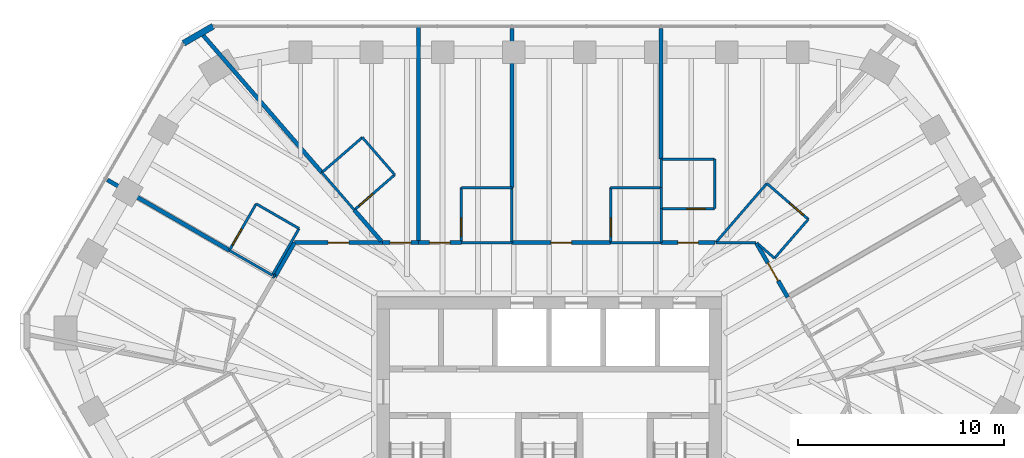
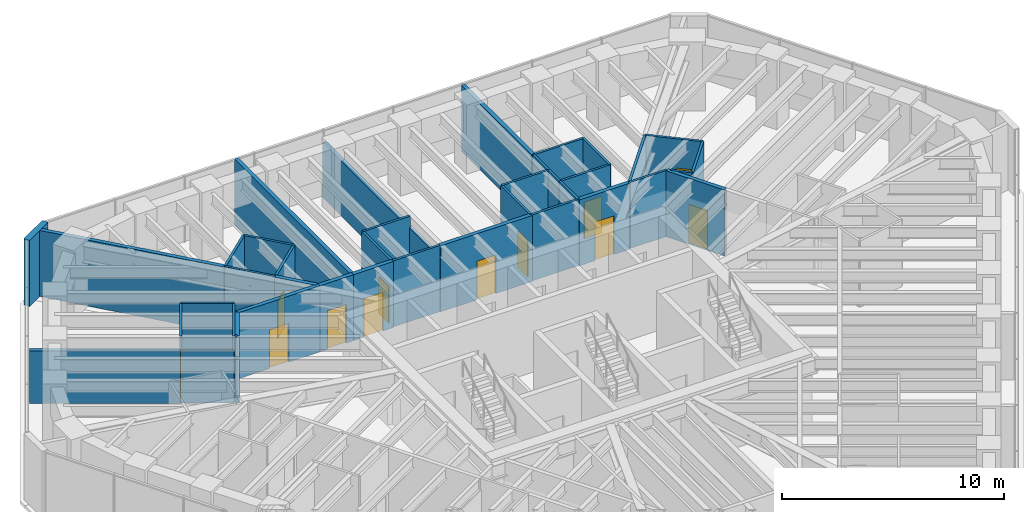
# One storey, part 12 of 14: 41 walls, 12 doors, 12 openings.
"""IFC4 building model written with IfcOpenShell, lengths in metres."""

from ifc_helpers import new_model, si_unit, direction, frame, frame_2d, origin, place, context, subcontext, project, spatial, rectangle, extrude, material, layer, layer_set, type_object, element, fill, save


model = new_model("IFC4")

# Units and contexts
model_context = context("Model", 3, precision=1e-05, world=origin(), true_north=direction((0.0, 1.0)))
body_context = subcontext(model_context, "Body", "Model", "MODEL_VIEW")
ifc_project = project(units=[si_unit("LENGTHUNIT", "METRE"), si_unit("AREAUNIT", "SQUARE_METRE"), si_unit("VOLUMEUNIT", "CUBIC_METRE"), si_unit("PLANEANGLEUNIT", "RADIAN"), si_unit("MASSUNIT", "GRAM", prefix="KILO")], contexts=[model_context])

# Site, building, storey
site_placement = place(None, origin())
site = spatial("IfcSite", under=ifc_project, at=site_placement, CompositionType="ELEMENT")
building_placement = place(site_placement, origin())
building = spatial("IfcBuilding", under=site, at=building_placement, Name="Sandreach Pilgrim Tower", CompositionType="ELEMENT")
storey_placement = place(building_placement, frame((0.0, 0.0, 279.800048828125)))
storey = spatial("IfcBuildingStorey", under=building, at=storey_placement, Name="L70", CompositionType="ELEMENT", Elevation=279.800048828125)

# Wall
ifc_material_1 = material(Name="Moisture-resistant gypsum board on steel studs", Category="steel")
ifc_layer_1 = layer(ifc_material_1, 0.1201171875)
ifc_layer_set_1 = layer_set([ifc_layer_1], Name="Bathroom partition 120")
wall_type_1 = type_object("IfcWallType", Name="Bathroom partition 120", PredefinedType="PARTITIONING", material=ifc_layer_set_1)
wall_1_placement = place(storey_placement, frame((-15.510009765625, 8.949951171875, 0.0), z_axis=(0.0, 0.0, 1.0), x_axis=(0.866202511239, -0.499693115345, 0.0)))
element("IfcWall", 1, at=wall_1_placement, inside=storey, type_object=wall_type_1, Name="Bathroom partition L70-014", PredefinedType="PARTITIONING", context=body_context, shape_type="SweptSolid", body=[
    extrude(rectangle(XDim=2.4013671875, YDim=0.1201171875, at=frame_2d((1.20068359375, 0.0))), origin(), (0.0, 0.0, 1.0), 2.8779296875),
])

# Wall, opening, door
wall_2_placement = place(storey_placement, frame((-14.2099609375, 11.2099609375, 0.0), z_axis=(0.0, 0.0, 1.0), x_axis=(-0.498627694264, -0.866816256489, 0.0)))
wall_2 = element("IfcWall", 2, at=wall_2_placement, inside=storey, type_object=wall_type_1, Name="Bathroom partition L70-021", PredefinedType="PARTITIONING", context=body_context, shape_type="SweptSolid", body=[
    extrude(rectangle(XDim=2.607177734375, YDim=0.1201171875, at=frame_2d((1.3037109375, 0.0))), origin(), (0.0, 0.0, 1.0), 3.639892578125),
])
opening_1_placement = place(wall_2_placement, frame((1.4072265625, 0.0, 0.0)))
opening_1 = element("IfcOpeningElement", 3, at=opening_1_placement, cuts=wall_2, Name="Opening D09-16B", PredefinedType="OPENING", context=body_context, shape_type="SweptSolid", body=[
    extrude(rectangle(XDim=0.89990234375, YDim=2.030029296875, at=frame_2d((0.449951171875, 1.01513671875))), frame((0.0, 0.06005859375, 0.0), z_axis=(0.0, -1.0, 0.0), x_axis=(1.0, 0.0, 0.0)), (0.0, 0.0, 1.0), 0.1201171875),
])
ifc_material_2 = material(Name="Timber door, steel frame", Category="steel")
door_type_1 = type_object("IfcDoorType", Name="Bathroom door", OperationType="SINGLE_SWING_LEFT", PredefinedType="DOOR", material=ifc_material_2)
door_1_placement = place(opening_1_placement, origin())
door_1 = element("IfcDoor", 4, at=door_1_placement, inside=storey, type_object=door_type_1, Name="Door 7016B", OperationType="SINGLE_SWING_RIGHT", OverallHeight=2.030029296875, OverallWidth=0.89990234375, PredefinedType="DOOR", context=body_context, shape_type="SweptSolid", body=[
    extrude(rectangle(XDim=0.89990234375, YDim=2.030029296875, at=frame_2d((0.449951171875, 1.01513671875))), frame((0.0, 0.02490234375, 0.0), z_axis=(0.0, -1.0, 0.0), x_axis=(1.0, 0.0, 0.0)), (0.0, 0.0, 1.0), 0.050048828125),
])
fill(opening_1, door_1)

# Walls
wall_3_placement = place(storey_placement, frame((-13.429931640625, 7.75, 0.0), z_axis=(0.0, 0.0, 1.0), x_axis=(0.498557331759, 0.866856728041, 0.0)))
element("IfcWall", 5, at=wall_3_placement, inside=storey, type_object=wall_type_1, Name="Bathroom partition L70-024", PredefinedType="PARTITIONING", context=body_context, shape_type="SweptSolid", body=[
    extrude(rectangle(XDim=2.607177734375, YDim=0.1201171875, at=frame_2d((1.3037109375, 0.0))), origin(), (0.0, 0.0, 1.0), 3.639892578125),
])
wall_4_placement = place(storey_placement, frame((-12.1298828125, 10.010009765625, 0.0), z_axis=(0.0, 0.0, 1.0), x_axis=(-0.866202511239, 0.499693115345, 0.0)))
element("IfcWall", 6, at=wall_4_placement, inside=storey, type_object=wall_type_1, Name="Bathroom partition L70-028", PredefinedType="PARTITIONING", context=body_context, shape_type="SweptSolid", body=[
    extrude(rectangle(XDim=2.4013671875, YDim=0.1201171875, at=frame_2d((1.20068359375, 0.0))), origin(), (0.0, 0.0, 1.0), 3.639892578125),
])
wall_5_placement = place(storey_placement, frame((-11.02197265625, 12.728271484375, 0.0), z_axis=(0.0, 0.0, 1.0), x_axis=(0.654005869514, -0.756489472921, 0.0)))
element("IfcWall", 7, at=wall_5_placement, inside=storey, type_object=wall_type_1, Name="Bathroom partition L70-032", PredefinedType="PARTITIONING", context=body_context, shape_type="SweptSolid", body=[
    extrude(rectangle(XDim=2.403564453125, YDim=0.1201171875, at=frame_2d((1.20166015625, 0.0))), origin(), (0.0, 0.0, 1.0), 3.639892578125),
])

# Wall, opening, door
wall_6_placement = place(storey_placement, frame((-9.449951171875, 10.909912109375, 0.0), z_axis=(0.0, 0.0, 1.0), x_axis=(0.753482987084, 0.657467404649, 0.0)))
wall_6 = element("IfcWall", 8, at=wall_6_placement, inside=storey, type_object=wall_type_1, Name="Bathroom partition L70-035", PredefinedType="PARTITIONING", context=body_context, shape_type="SweptSolid", body=[
    extrude(rectangle(XDim=2.601318359375, YDim=0.1201171875, at=frame_2d((1.30078125, 0.0))), origin(), (0.0, 0.0, 1.0), 3.639892578125),
])
opening_2_placement = place(wall_6_placement, frame((0.300048828125, 0.0, 0.0)))
opening_2 = element("IfcOpeningElement", 9, at=opening_2_placement, cuts=wall_6, Name="Opening D09-01B", PredefinedType="OPENING", context=body_context, shape_type="SweptSolid", body=[
    extrude(rectangle(XDim=0.89990234375, YDim=2.030029296875, at=frame_2d((0.449951171875, 1.01513671875))), frame((0.0, 0.06005859375, 0.0), z_axis=(0.0, -1.0, 0.0), x_axis=(1.0, 0.0, 0.0)), (0.0, 0.0, 1.0), 0.1201171875),
])
door_2_placement = place(opening_2_placement, origin())
door_2 = element("IfcDoor", 10, at=door_2_placement, inside=storey, type_object=door_type_1, Name="Door 7001B", OperationType="SINGLE_SWING_LEFT", OverallHeight=2.030029296875, OverallWidth=0.89990234375, PredefinedType="DOOR", context=body_context, shape_type="SweptSolid", body=[
    extrude(rectangle(XDim=0.89990234375, YDim=2.030029296875, at=frame_2d((0.449951171875, 1.01513671875))), frame((0.0, 0.02490234375, 0.0), z_axis=(0.0, -1.0, 0.0), x_axis=(1.0, 0.0, 0.0)), (0.0, 0.0, 1.0), 0.050048828125),
])
fill(opening_2, door_2)

# Walls
wall_7_placement = place(storey_placement, frame((-9.06005859375, 14.429931640625, 0.0), z_axis=(0.0, 0.0, 1.0), x_axis=(-0.755437535555, -0.655220672655, 0.0)))
element("IfcWall", 11, at=wall_7_placement, inside=storey, type_object=wall_type_1, Name="Bathroom partition L70-037", PredefinedType="PARTITIONING", context=body_context, shape_type="SweptSolid", body=[
    extrude(rectangle(XDim=2.594482421875, YDim=0.1201171875, at=frame_2d((1.29736328125, 0.0))), origin(), (0.0, 0.0, 1.0), 3.639892578125),
])
wall_8_placement = place(storey_placement, frame((-7.489990234375, 12.6201171875, 0.0), z_axis=(0.0, 0.0, 1.0), x_axis=(-0.655302876176, 0.755366229372, 0.0)))
element("IfcWall", 12, at=wall_8_placement, inside=storey, type_object=wall_type_1, Name="Bathroom partition L70-041", PredefinedType="PARTITIONING", context=body_context, shape_type="SweptSolid", body=[
    extrude(rectangle(XDim=2.39599609375, YDim=0.1201171875, at=frame_2d((1.197998046875, 0.0))), origin(), (0.0, 0.0, 1.0), 3.639892578125),
])
wall_9_placement = place(storey_placement, frame((-4.260009765625, 9.330078125, 0.0), z_axis=(0.0, 0.0, 1.0), x_axis=(1.0, 0.0, 0.0)))
element("IfcWall", 13, at=wall_9_placement, inside=storey, type_object=wall_type_1, Name="Bathroom partition L70-046", PredefinedType="PARTITIONING", context=body_context, shape_type="SweptSolid", body=[
    extrude(rectangle(XDim=2.449951171875, YDim=0.1201171875, at=frame_2d((1.22509765625, 0.0))), origin(), (0.0, 0.0, 1.0), 3.639892578125),
])

# Wall, opening, door
wall_10_placement = place(storey_placement, frame((-4.260009765625, 12.0, 0.0), z_axis=(0.0, 0.0, 1.0), x_axis=(0.0, -1.0, 0.0)))
wall_10 = element("IfcWall", 14, at=wall_10_placement, inside=storey, type_object=wall_type_1, Name="Bathroom partition L70-047", PredefinedType="PARTITIONING", context=body_context, shape_type="SweptSolid", body=[
    extrude(rectangle(XDim=2.669921875, YDim=0.1201171875, at=frame_2d((1.3349609375, 0.0))), origin(), (0.0, 0.0, 1.0), 3.639892578125),
])
opening_3_placement = place(wall_10_placement, frame((1.469970703125, 0.0, 0.0)))
opening_3 = element("IfcOpeningElement", 15, at=opening_3_placement, cuts=wall_10, Name="Opening D09-02B", PredefinedType="OPENING", context=body_context, shape_type="SweptSolid", body=[
    extrude(rectangle(XDim=0.89990234375, YDim=2.030029296875, at=frame_2d((0.449951171875, 1.01513671875))), frame((0.0, 0.06005859375, 0.0), z_axis=(0.0, -1.0, 0.0), x_axis=(1.0, 0.0, 0.0)), (0.0, 0.0, 1.0), 0.1201171875),
])
door_3_placement = place(opening_3_placement, origin())
door_3 = element("IfcDoor", 16, at=door_3_placement, inside=storey, type_object=door_type_1, Name="Door 7002B", OperationType="SINGLE_SWING_RIGHT", OverallHeight=2.030029296875, OverallWidth=0.89990234375, PredefinedType="DOOR", context=body_context, shape_type="SweptSolid", body=[
    extrude(rectangle(XDim=0.89990234375, YDim=2.030029296875, at=frame_2d((0.449951171875, 1.01513671875))), frame((0.0, 0.02490234375, 0.0), z_axis=(0.0, -1.0, 0.0), x_axis=(1.0, 0.0, 0.0)), (0.0, 0.0, 1.0), 0.050048828125),
])
fill(opening_3, door_3)

# Walls
wall_11_placement = place(storey_placement, frame((-1.81005859375, 12.0, 0.0), z_axis=(0.0, 0.0, 1.0), x_axis=(-1.0, 0.0, 0.0)))
element("IfcWall", 17, at=wall_11_placement, inside=storey, type_object=wall_type_1, Name="Bathroom partition L70-054", PredefinedType="PARTITIONING", context=body_context, shape_type="SweptSolid", body=[
    extrude(rectangle(XDim=2.449951171875, YDim=0.1201171875, at=frame_2d((1.22509765625, 0.0))), origin(), (0.0, 0.0, 1.0), 3.639892578125),
])
wall_12_placement = place(storey_placement, frame((-1.81005859375, 12.0, 0.0), z_axis=(0.0, 0.0, 1.0), x_axis=(0.0, -1.0, 0.0)))
element("IfcWall", 18, at=wall_12_placement, inside=storey, type_object=wall_type_1, Name="Bathroom partition L70-055", PredefinedType="PARTITIONING", context=body_context, shape_type="SweptSolid", body=[
    extrude(rectangle(XDim=2.669921875, YDim=0.1201171875, at=frame_2d((1.3349609375, 0.0))), origin(), (0.0, 0.0, 1.0), 3.022705078125),
])

# Wall, opening, door
wall_13_placement = place(storey_placement, frame((2.97998046875, 12.0, 0.0), z_axis=(0.0, 0.0, 1.0), x_axis=(0.0, -1.0, 0.0)))
wall_13 = element("IfcWall", 19, at=wall_13_placement, inside=storey, type_object=wall_type_1, Name="Bathroom partition L70-068", PredefinedType="PARTITIONING", context=body_context, shape_type="SweptSolid", body=[
    extrude(rectangle(XDim=2.669921875, YDim=0.1201171875, at=frame_2d((1.3349609375, 0.0))), origin(), (0.0, 0.0, 1.0), 3.639892578125),
])
opening_4_placement = place(wall_13_placement, frame((1.469970703125, 0.0, 0.0)))
opening_4 = element("IfcOpeningElement", 20, at=opening_4_placement, cuts=wall_13, Name="Opening D09-03B", PredefinedType="OPENING", context=body_context, shape_type="SweptSolid", body=[
    extrude(rectangle(XDim=0.89990234375, YDim=2.030029296875, at=frame_2d((0.449951171875, 1.01513671875))), frame((0.0, 0.06005859375, 0.0), z_axis=(0.0, -1.0, 0.0), x_axis=(1.0, 0.0, 0.0)), (0.0, 0.0, 1.0), 0.1201171875),
])
door_4_placement = place(opening_4_placement, origin())
door_4 = element("IfcDoor", 21, at=door_4_placement, inside=storey, type_object=door_type_1, Name="Door 7003B", OperationType="SINGLE_SWING_RIGHT", OverallHeight=2.030029296875, OverallWidth=0.89990234375, PredefinedType="DOOR", context=body_context, shape_type="SweptSolid", body=[
    extrude(rectangle(XDim=0.89990234375, YDim=2.030029296875, at=frame_2d((0.449951171875, 1.01513671875))), frame((0.0, 0.02490234375, 0.0), z_axis=(0.0, -1.0, 0.0), x_axis=(1.0, 0.0, 0.0)), (0.0, 0.0, 1.0), 0.050048828125),
])
fill(opening_4, door_4)

# Walls
wall_14_placement = place(storey_placement, frame((5.429931640625, 9.330078125, 0.0), z_axis=(0.0, 0.0, 1.0), x_axis=(-1.0, 0.0, 0.0)))
element("IfcWall", 22, at=wall_14_placement, inside=storey, type_object=wall_type_1, Name="Bathroom partition L70-074", PredefinedType="PARTITIONING", context=body_context, shape_type="SweptSolid", body=[
    extrude(rectangle(XDim=2.449951171875, YDim=0.1201171875, at=frame_2d((1.22509765625, 0.0))), origin(), (0.0, 0.0, 1.0), 3.639892578125),
])
wall_15_placement = place(storey_placement, frame((5.429931640625, 10.97998046875, 0.0), z_axis=(0.0, 0.0, 1.0), x_axis=(0.0, -1.0, 0.0)))
element("IfcWall", 23, at=wall_15_placement, inside=storey, type_object=wall_type_1, Name="Bathroom partition L70-075", PredefinedType="PARTITIONING", context=body_context, shape_type="SweptSolid", body=[
    extrude(rectangle(XDim=1.64990234375, YDim=0.1201171875, at=frame_2d((0.824951171875, 0.0))), origin(), (0.0, 0.0, 1.0), 3.639892578125),
])

# Wall, opening, door
wall_16_placement = place(storey_placement, frame((5.429931640625, 10.97998046875, 0.0), z_axis=(0.0, 0.0, 1.0), x_axis=(1.0, 0.0, 0.0)))
wall_16 = element("IfcWall", 24, at=wall_16_placement, inside=storey, type_object=wall_type_1, Name="Bathroom partition L70-076", PredefinedType="PARTITIONING", context=body_context, shape_type="SweptSolid", body=[
    extrude(rectangle(XDim=2.60009765625, YDim=0.1201171875, at=frame_2d((1.300048828125, 0.0))), origin(), (0.0, 0.0, 1.0), 3.639892578125),
])
opening_5_placement = place(wall_16_placement, frame((1.25, 0.0, 0.0)))
opening_5 = element("IfcOpeningElement", 25, at=opening_5_placement, cuts=wall_16, Name="Opening D09-04B", PredefinedType="OPENING", context=body_context, shape_type="SweptSolid", body=[
    extrude(rectangle(XDim=0.89990234375, YDim=2.030029296875, at=frame_2d((0.449951171875, 1.01513671875))), frame((0.0, 0.06005859375, 0.0), z_axis=(0.0, -1.0, 0.0), x_axis=(1.0, 0.0, 0.0)), (0.0, 0.0, 1.0), 0.1201171875),
])
door_5_placement = place(opening_5_placement, origin())
door_5 = element("IfcDoor", 26, at=door_5_placement, inside=storey, type_object=door_type_1, Name="Door 7004B", OperationType="SINGLE_SWING_RIGHT", OverallHeight=2.030029296875, OverallWidth=0.89990234375, PredefinedType="DOOR", context=body_context, shape_type="SweptSolid", body=[
    extrude(rectangle(XDim=0.89990234375, YDim=2.030029296875, at=frame_2d((0.449951171875, 1.01513671875))), frame((0.0, 0.02490234375, 0.0), z_axis=(0.0, -1.0, 0.0), x_axis=(1.0, 0.0, 0.0)), (0.0, 0.0, 1.0), 0.050048828125),
])
fill(opening_5, door_5)

# Walls
wall_17_placement = place(storey_placement, frame((5.429931640625, 12.0, 0.0), z_axis=(0.0, 0.0, 1.0), x_axis=(-1.0, 0.0, 0.0)))
element("IfcWall", 27, at=wall_17_placement, inside=storey, type_object=wall_type_1, Name="Bathroom partition L70-077", PredefinedType="PARTITIONING", context=body_context, shape_type="SweptSolid", body=[
    extrude(rectangle(XDim=2.449951171875, YDim=0.1201171875, at=frame_2d((1.22509765625, 0.0))), origin(), (0.0, 0.0, 1.0), 3.639892578125),
])
wall_18_placement = place(storey_placement, frame((5.429931640625, 12.0, 0.0), z_axis=(0.0, 0.0, 1.0), x_axis=(0.0, -1.0, 0.0)))
element("IfcWall", 28, at=wall_18_placement, inside=storey, type_object=wall_type_1, Name="Bathroom partition L70-078", PredefinedType="PARTITIONING", context=body_context, shape_type="SweptSolid", body=[
    extrude(rectangle(XDim=1.02001953125, YDim=0.1201171875, at=frame_2d((0.510009765625, 0.0))), origin(), (0.0, 0.0, 1.0), 3.639892578125),
])
wall_19_placement = place(storey_placement, frame((5.429931640625, 13.3798828125, 0.0), z_axis=(0.0, 0.0, 1.0), x_axis=(0.0, -1.0, 0.0)))
element("IfcWall", 29, at=wall_19_placement, inside=storey, type_object=wall_type_1, Name="Bathroom partition L70-079", PredefinedType="PARTITIONING", context=body_context, shape_type="SweptSolid", body=[
    extrude(rectangle(XDim=1.3798828125, YDim=0.1201171875, at=frame_2d((0.68994140625, 0.0))), origin(), (0.0, 0.0, 1.0), 3.639892578125),
])
wall_20_placement = place(storey_placement, frame((8.030029296875, 10.97998046875, 0.0), z_axis=(0.0, 0.0, 1.0), x_axis=(0.0, 1.0, 0.0)))
element("IfcWall", 30, at=wall_20_placement, inside=storey, type_object=wall_type_1, Name="Bathroom partition L70-090", PredefinedType="PARTITIONING", context=body_context, shape_type="SweptSolid", body=[
    extrude(rectangle(XDim=2.39990234375, YDim=0.1201171875, at=frame_2d((1.199951171875, 0.0))), origin(), (0.0, 0.0, 1.0), 3.639892578125),
])
wall_21_placement = place(storey_placement, frame((8.030029296875, 13.3798828125, 0.0), z_axis=(0.0, 0.0, 1.0), x_axis=(-1.0, 0.0, 0.0)))
element("IfcWall", 31, at=wall_21_placement, inside=storey, type_object=wall_type_1, Name="Bathroom partition L70-091", PredefinedType="PARTITIONING", context=body_context, shape_type="SweptSolid", body=[
    extrude(rectangle(XDim=2.60009765625, YDim=0.1201171875, at=frame_2d((1.300048828125, 0.0))), origin(), (0.0, 0.0, 1.0), 3.639892578125),
])
wall_22_placement = place(storey_placement, frame((8.080078125, 9.330078125, 0.0), z_axis=(0.0, 0.0, 1.0), x_axis=(0.653839376009, 0.756633379108, 0.0)))
element("IfcWall", 32, at=wall_22_placement, inside=storey, type_object=wall_type_1, Name="Bathroom partition L70-093", PredefinedType="PARTITIONING", context=body_context, shape_type="SweptSolid", body=[
    extrude(rectangle(XDim=3.79296875, YDim=0.1201171875, at=frame_2d((1.896484375, 0.0))), origin(), (0.0, 0.0, 1.0), 3.639892578125),
])
wall_23_placement = place(storey_placement, frame((10.0400390625, 9.330078125, 0.0), z_axis=(0.0, 0.0, 1.0), x_axis=(-1.0, 0.0, 0.0)))
element("IfcWall", 33, at=wall_23_placement, inside=storey, type_object=wall_type_1, Name="Bathroom partition L70-097", PredefinedType="PARTITIONING", context=body_context, shape_type="SweptSolid", body=[
    extrude(rectangle(XDim=1.93505859375, YDim=0.1201171875, at=frame_2d((0.967529296875, 0.0))), origin(), (0.0, 0.0, 1.0), 3.639892578125),
])
wall_24_placement = place(storey_placement, frame((10.1728515625, 9.231201171875, 0.0), z_axis=(0.0, 0.0, 1.0), x_axis=(0.753223340044, -0.657764851609, 0.0)))
element("IfcWall", 34, at=wall_24_placement, inside=storey, type_object=wall_type_1, Name="Bathroom partition L70-099", PredefinedType="PARTITIONING", context=body_context, shape_type="SweptSolid", body=[
    extrude(rectangle(XDim=1.005126953125, YDim=0.1201171875, at=frame_2d((0.50244140625, 0.0))), origin(), (0.0, 0.0, 1.0), 3.639892578125),
])
wall_25_placement = place(storey_placement, frame((10.929931640625, 8.570068359375, 0.0), z_axis=(0.0, 0.0, 1.0), x_axis=(0.655439261345, 0.755247889561, 0.0)))
element("IfcWall", 35, at=wall_25_placement, inside=storey, type_object=wall_type_1, Name="Bathroom partition L70-101", PredefinedType="PARTITIONING", context=body_context, shape_type="SweptSolid", body=[
    extrude(rectangle(XDim=2.50244140625, YDim=0.1201171875, at=frame_2d((1.251220703125, 0.0))), origin(), (0.0, 0.0, 1.0), 3.639892578125),
])

# Wall, opening, door
wall_26_placement = place(storey_placement, frame((12.570068359375, 10.4599609375, 0.0), z_axis=(0.0, 0.0, 1.0), x_axis=(-0.756064683054, 0.654496902238, 0.0)))
wall_26 = element("IfcWall", 36, at=wall_26_placement, inside=storey, type_object=wall_type_1, Name="Bathroom partition L70-105", PredefinedType="PARTITIONING", context=body_context, shape_type="SweptSolid", body=[
    extrude(rectangle(XDim=2.658447265625, YDim=0.1201171875, at=frame_2d((1.3291015625, 0.0))), origin(), (0.0, 0.0, 1.0), 3.639892578125),
])
opening_6_placement = place(wall_26_placement, frame((0.300048828125, 0.0, 0.0)))
opening_6 = element("IfcOpeningElement", 37, at=opening_6_placement, cuts=wall_26, Name="Opening D09-05B", PredefinedType="OPENING", context=body_context, shape_type="SweptSolid", body=[
    extrude(rectangle(XDim=0.89990234375, YDim=2.030029296875, at=frame_2d((0.449951171875, 1.01513671875))), frame((0.0, 0.06005859375, 0.0), z_axis=(0.0, -1.0, 0.0), x_axis=(1.0, 0.0, 0.0)), (0.0, 0.0, 1.0), 0.1201171875),
])
door_6_placement = place(opening_6_placement, origin())
door_6 = element("IfcDoor", 38, at=door_6_placement, inside=storey, type_object=door_type_1, Name="Door 7005B", OperationType="SINGLE_SWING_LEFT", OverallHeight=2.030029296875, OverallWidth=0.89990234375, PredefinedType="DOOR", context=body_context, shape_type="SweptSolid", body=[
    extrude(rectangle(XDim=0.89990234375, YDim=2.030029296875, at=frame_2d((0.449951171875, 1.01513671875))), frame((0.0, 0.02490234375, 0.0), z_axis=(0.0, -1.0, 0.0), x_axis=(1.0, 0.0, 0.0)), (0.0, 0.0, 1.0), 0.050048828125),
])
fill(opening_6, door_6)

# Wall
ifc_material_3 = material(Name="Gypsum board on steel studs, two layers each side", Category="steel")
ifc_layer_2 = layer(ifc_material_3, 0.199951171875)
ifc_layer_set_2 = layer_set([ifc_layer_2], Name="Corridor wall 200")
wall_type_2 = type_object("IfcWallType", Name="Corridor wall 200", PredefinedType="PARTITIONING", material=ifc_layer_set_2)
wall_27_placement = place(storey_placement, frame((-13.300048828125, 7.679931640625, 0.0), z_axis=(0.0, 0.0, 1.0), x_axis=(0.498911917133, 0.866652697996, 0.0)))
element("IfcWall", 39, at=wall_27_placement, inside=storey, type_object=wall_type_2, Name="Corridor wall L70-026", PredefinedType="PARTITIONING", context=body_context, shape_type="SweptSolid", body=[
    extrude(rectangle(XDim=1.904052734375, YDim=0.199951171875, at=frame_2d((0.9521484375, 0.0))), origin(), (0.0, 0.0, 1.0), 3.639892578125),
])

# Wall, opening, door
wall_28_placement = place(storey_placement, frame((-8.080078125, 9.330078125, 0.0), z_axis=(0.0, 0.0, 1.0), x_axis=(-1.0, 0.0, 0.0)))
wall_28 = element("IfcWall", 40, at=wall_28_placement, inside=storey, type_object=wall_type_2, Name="Corridor wall L70-040", PredefinedType="PARTITIONING", context=body_context, shape_type="SweptSolid", body=[
    extrude(rectangle(XDim=4.27001953125, YDim=0.199951171875, at=frame_2d((2.135009765625, 0.0))), origin(), (0.0, 0.0, 1.0), 3.639892578125),
])
opening_7_placement = place(wall_28_placement, frame((1.635009765625, 0.0, 0.0)))
opening_7 = element("IfcOpeningElement", 41, at=opening_7_placement, cuts=wall_28, Name="Opening D10-16", PredefinedType="OPENING", context=body_context, shape_type="SweptSolid", body=[
    extrude(rectangle(XDim=1.0, YDim=2.1298828125, at=frame_2d((0.5, 1.06494140625))), frame((0.0, 0.10009765625, 0.0), z_axis=(0.0, -1.0, 0.0), x_axis=(1.0, 0.0, 0.0)), (0.0, 0.0, 1.0), 0.199951171875),
])
ifc_material_4 = material(Name="Steel door and frame", Category="steel")
door_type_2 = type_object("IfcDoorType", Name="Guest room entry door", OperationType="SINGLE_SWING_LEFT", PredefinedType="DOOR", material=ifc_material_4)
door_7_placement = place(opening_7_placement, origin())
door_7 = element("IfcDoor", 42, at=door_7_placement, inside=storey, type_object=door_type_2, Name="Door 7016", OperationType="SINGLE_SWING_LEFT", OverallHeight=2.1298828125, OverallWidth=1.0, PredefinedType="DOOR", context=body_context, shape_type="SweptSolid", body=[
    extrude(rectangle(XDim=1.0, YDim=2.1298828125, at=frame_2d((0.5, 1.06494140625))), frame((0.0, 0.02490234375, 0.0), z_axis=(0.0, -1.0, 0.0), x_axis=(1.0, 0.0, 0.0)), (0.0, 0.0, 1.0), 0.050048828125),
])
fill(opening_7, door_7)

wall_29_placement = place(storey_placement, frame((-6.340087890625, 9.330078125, 0.0), z_axis=(0.0, 0.0, 1.0), x_axis=(-1.0, 0.0, 0.0)))
wall_29 = element("IfcWall", 43, at=wall_29_placement, inside=storey, type_object=wall_type_2, Name="Corridor wall L70-042", PredefinedType="PARTITIONING", context=body_context, shape_type="SweptSolid", body=[
    extrude(rectangle(XDim=1.739990234375, YDim=0.199951171875, at=frame_2d((0.8701171875, 0.0))), origin(), (0.0, 0.0, 1.0), 3.639892578125),
])
opening_8_placement = place(wall_29_placement, frame((0.3701171875, 0.0, 0.0)))
opening_8 = element("IfcOpeningElement", 44, at=opening_8_placement, cuts=wall_29, Name="Opening D10-01", PredefinedType="OPENING", context=body_context, shape_type="SweptSolid", body=[
    extrude(rectangle(XDim=1.0, YDim=2.1298828125, at=frame_2d((0.5, 1.06494140625))), frame((0.0, 0.10009765625, 0.0), z_axis=(0.0, -1.0, 0.0), x_axis=(1.0, 0.0, 0.0)), (0.0, 0.0, 1.0), 0.199951171875),
])
door_8_placement = place(opening_8_placement, origin())
door_8 = element("IfcDoor", 45, at=door_8_placement, inside=storey, type_object=door_type_2, Name="Door 7001", OperationType="SINGLE_SWING_LEFT", OverallHeight=2.1298828125, OverallWidth=1.0, PredefinedType="DOOR", context=body_context, shape_type="SweptSolid", body=[
    extrude(rectangle(XDim=1.0, YDim=2.1298828125, at=frame_2d((0.5, 1.06494140625))), frame((0.0, 0.02490234375, 0.0), z_axis=(0.0, -1.0, 0.0), x_axis=(1.0, 0.0, 0.0)), (0.0, 0.0, 1.0), 0.050048828125),
])
fill(opening_8, door_8)

wall_30_placement = place(storey_placement, frame((-4.260009765625, 9.330078125, 0.0), z_axis=(0.0, 0.0, 1.0), x_axis=(-1.0, 0.0, 0.0)))
wall_30 = element("IfcWall", 46, at=wall_30_placement, inside=storey, type_object=wall_type_2, Name="Corridor wall L70-045", PredefinedType="PARTITIONING", context=body_context, shape_type="SweptSolid", body=[
    extrude(rectangle(XDim=2.080078125, YDim=0.199951171875, at=frame_2d((1.0400390625, 0.0))), origin(), (0.0, 0.0, 1.0), 3.639892578125),
])
opening_9_placement = place(wall_30_placement, frame((0.5400390625, 0.0, 0.0)))
opening_9 = element("IfcOpeningElement", 47, at=opening_9_placement, cuts=wall_30, Name="Opening D10-02", PredefinedType="OPENING", context=body_context, shape_type="SweptSolid", body=[
    extrude(rectangle(XDim=1.0, YDim=2.1298828125, at=frame_2d((0.5, 1.06494140625))), frame((0.0, 0.10009765625, 0.0), z_axis=(0.0, -1.0, 0.0), x_axis=(1.0, 0.0, 0.0)), (0.0, 0.0, 1.0), 0.199951171875),
])
door_9_placement = place(opening_9_placement, origin())
door_9 = element("IfcDoor", 48, at=door_9_placement, inside=storey, type_object=door_type_2, Name="Door 7002", OperationType="SINGLE_SWING_LEFT", OverallHeight=2.1298828125, OverallWidth=1.0, PredefinedType="DOOR", context=body_context, shape_type="SweptSolid", body=[
    extrude(rectangle(XDim=1.0, YDim=2.1298828125, at=frame_2d((0.5, 1.06494140625))), frame((0.0, 0.02490234375, 0.0), z_axis=(0.0, -1.0, 0.0), x_axis=(1.0, 0.0, 0.0)), (0.0, 0.0, 1.0), 0.050048828125),
])
fill(opening_9, door_9)

wall_31_placement = place(storey_placement, frame((2.97998046875, 9.330078125, 0.0), z_axis=(0.0, 0.0, 1.0), x_axis=(-1.0, 0.0, 0.0)))
wall_31 = element("IfcWall", 49, at=wall_31_placement, inside=storey, type_object=wall_type_2, Name="Corridor wall L70-067", PredefinedType="PARTITIONING", context=body_context, shape_type="SweptSolid", body=[
    extrude(rectangle(XDim=4.7900390625, YDim=0.199951171875, at=frame_2d((2.39501953125, 0.0))), origin(), (0.0, 0.0, 1.0), 3.639892578125),
])
opening_10_placement = place(wall_31_placement, frame((1.89501953125, 0.0, 0.0)))
opening_10 = element("IfcOpeningElement", 50, at=opening_10_placement, cuts=wall_31, Name="Opening D10-03", PredefinedType="OPENING", context=body_context, shape_type="SweptSolid", body=[
    extrude(rectangle(XDim=1.0, YDim=2.1298828125, at=frame_2d((0.5, 1.06494140625))), frame((0.0, 0.10009765625, 0.0), z_axis=(0.0, -1.0, 0.0), x_axis=(1.0, 0.0, 0.0)), (0.0, 0.0, 1.0), 0.199951171875),
])
door_10_placement = place(opening_10_placement, origin())
door_10 = element("IfcDoor", 51, at=door_10_placement, inside=storey, type_object=door_type_2, Name="Door 7003", OperationType="SINGLE_SWING_LEFT", OverallHeight=2.1298828125, OverallWidth=1.0, PredefinedType="DOOR", context=body_context, shape_type="SweptSolid", body=[
    extrude(rectangle(XDim=1.0, YDim=2.1298828125, at=frame_2d((0.5, 1.06494140625))), frame((0.0, 0.02490234375, 0.0), z_axis=(0.0, -1.0, 0.0), x_axis=(1.0, 0.0, 0.0)), (0.0, 0.0, 1.0), 0.050048828125),
])
fill(opening_10, door_10)

wall_32_placement = place(storey_placement, frame((8.050048828125, 9.330078125, 0.0), z_axis=(0.0, 0.0, 1.0), x_axis=(-1.0, 0.0, 0.0)))
wall_32 = element("IfcWall", 52, at=wall_32_placement, inside=storey, type_object=wall_type_2, Name="Corridor wall L70-092", PredefinedType="PARTITIONING", context=body_context, shape_type="SweptSolid", body=[
    extrude(rectangle(XDim=2.6201171875, YDim=0.199951171875, at=frame_2d((1.31005859375, 0.0))), origin(), (0.0, 0.0, 1.0), 3.639892578125),
])
opening_11_placement = place(wall_32_placement, frame((0.81005859375, 0.0, 0.0)))
opening_11 = element("IfcOpeningElement", 53, at=opening_11_placement, cuts=wall_32, Name="Opening D10-04", PredefinedType="OPENING", context=body_context, shape_type="SweptSolid", body=[
    extrude(rectangle(XDim=1.0, YDim=2.1298828125, at=frame_2d((0.5, 1.06494140625))), frame((0.0, 0.10009765625, 0.0), z_axis=(0.0, -1.0, 0.0), x_axis=(1.0, 0.0, 0.0)), (0.0, 0.0, 1.0), 0.199951171875),
])
door_11_placement = place(opening_11_placement, origin())
door_11 = element("IfcDoor", 54, at=door_11_placement, inside=storey, type_object=door_type_2, Name="Door 7004", OperationType="SINGLE_SWING_LEFT", OverallHeight=2.1298828125, OverallWidth=1.0, PredefinedType="DOOR", context=body_context, shape_type="SweptSolid", body=[
    extrude(rectangle(XDim=1.0, YDim=2.1298828125, at=frame_2d((0.5, 1.06494140625))), frame((0.0, 0.02490234375, 0.0), z_axis=(0.0, -1.0, 0.0), x_axis=(1.0, 0.0, 0.0)), (0.0, 0.0, 1.0), 0.050048828125),
])
fill(opening_11, door_11)

wall_33_placement = place(storey_placement, frame((10.050048828125, 9.31005859375, 0.0), z_axis=(0.0, 0.0, 1.0), x_axis=(0.500374001214, -0.865809366379, 0.0)))
wall_33 = element("IfcWall", 55, at=wall_33_placement, inside=storey, type_object=wall_type_2, Name="Corridor wall L70-098", PredefinedType="PARTITIONING", context=body_context, shape_type="SweptSolid", body=[
    extrude(rectangle(XDim=3.037841796875, YDim=0.199951171875, at=frame_2d((1.51904296875, 0.0))), origin(), (0.0, 0.0, 1.0), 3.639892578125),
])
opening_12_placement = place(wall_33_placement, frame((1.118896484375, 0.0, 0.0)))
opening_12 = element("IfcOpeningElement", 56, at=opening_12_placement, cuts=wall_33, Name="Opening D10-05", PredefinedType="OPENING", context=body_context, shape_type="SweptSolid", body=[
    extrude(rectangle(XDim=1.0, YDim=2.1298828125, at=frame_2d((0.5, 1.06494140625))), frame((0.0, 0.10009765625, 0.0), z_axis=(0.0, -1.0, 0.0), x_axis=(1.0, 0.0, 0.0)), (0.0, 0.0, 1.0), 0.199951171875),
])
door_12_placement = place(opening_12_placement, origin())
door_12 = element("IfcDoor", 57, at=door_12_placement, inside=storey, type_object=door_type_2, Name="Door 7005", OperationType="SINGLE_SWING_RIGHT", OverallHeight=2.1298828125, OverallWidth=1.0, PredefinedType="DOOR", context=body_context, shape_type="SweptSolid", body=[
    extrude(rectangle(XDim=1.0, YDim=2.1298828125, at=frame_2d((0.5, 1.06494140625))), frame((0.0, 0.02490234375, 0.0), z_axis=(0.0, -1.0, 0.0), x_axis=(1.0, 0.0, 0.0)), (0.0, 0.0, 1.0), 0.050048828125),
])
fill(opening_12, door_12)

# Walls
ifc_material_5 = material(Name="Double steel stud acoustic wall, gypsum board", Category="steel")
ifc_layer_3 = layer(ifc_material_5, 0.199951171875)
ifc_layer_set_3 = layer_set([ifc_layer_3], Name="Party wall 200")
wall_type_3 = type_object("IfcWallType", Name="Party wall 200", PredefinedType="PARTITIONING", material=ifc_layer_set_3)
wall_34_placement = place(storey_placement, frame((-21.426025390625, 12.369873046875, 0.0), z_axis=(0.0, 0.0, 1.0), x_axis=(0.86575224659, -0.500472823962, 0.0)))
element("IfcWall", 58, at=wall_34_placement, inside=storey, type_object=wall_type_3, Name="Party wall L70-001", PredefinedType="PARTITIONING", context=body_context, shape_type="SweptSolid", body=[
    extrude(rectangle(XDim=6.83349609375, YDim=0.199951171875, at=frame_2d((3.416748046875, 0.0))), origin(), (0.0, 0.0, 1.0), 2.8779296875),
])
wall_35_placement = place(storey_placement, frame((-16.890380859375, 19.50732421875, 0.0), z_axis=(0.0, 0.0, 1.0), x_axis=(0.654499193584, -0.756062699515, 0.0)))
element("IfcWall", 59, at=wall_35_placement, inside=storey, type_object=wall_type_3, Name="Party wall L70-007", PredefinedType="PARTITIONING", context=body_context, shape_type="SweptSolid", body=[
    extrude(rectangle(XDim=8.96630859375, YDim=0.199951171875, at=frame_2d((4.483154296875, 0.0))), origin(), (0.0, 0.0, 1.0), 3.639892578125),
])
wall_36_placement = place(storey_placement, frame((-13.377197265625, 7.721435546875, 0.0), z_axis=(0.0, 0.0, 1.0), x_axis=(0.880650010303, -0.473767410606, 0.0)))
element("IfcWall", 60, at=wall_36_placement, inside=storey, type_object=wall_type_3, Name="Party wall L70-025", PredefinedType="PARTITIONING", context=body_context, shape_type="SweptSolid", body=[
    extrude(rectangle(XDim=0.087646484375, YDim=0.199951171875, at=frame_2d((0.0439453125, 0.0))), origin(), (0.0, 0.0, 1.0), 3.639892578125),
])
wall_37_placement = place(storey_placement, frame((-9.449951171875, 10.909912109375, 0.0), z_axis=(0.0, 0.0, 1.0), x_axis=(0.655103686609, -0.755538986282, 0.0)))
element("IfcWall", 61, at=wall_37_placement, inside=storey, type_object=wall_type_3, Name="Party wall L70-034", PredefinedType="PARTITIONING", context=body_context, shape_type="SweptSolid", body=[
    extrude(rectangle(XDim=1.986083984375, YDim=0.199951171875, at=frame_2d((0.9931640625, 0.0))), origin(), (0.0, 0.0, 1.0), 3.639892578125),
])
wall_38_placement = place(storey_placement, frame((-6.340087890625, 19.800048828125, 0.0), z_axis=(0.0, 0.0, 1.0), x_axis=(0.0, -1.0, 0.0)))
element("IfcWall", 62, at=wall_38_placement, inside=storey, type_object=wall_type_3, Name="Party wall L70-043", PredefinedType="PARTITIONING", context=body_context, shape_type="SweptSolid", body=[
    extrude(rectangle(XDim=10.455078125, YDim=0.199951171875, at=frame_2d((5.2275390625, 0.0))), origin(), (0.0, 0.0, 1.0), 3.639892578125),
])
wall_39_placement = place(storey_placement, frame((-1.81005859375, 19.7099609375, 0.0), z_axis=(0.0, 0.0, 1.0), x_axis=(0.0, -1.0, 0.0)))
element("IfcWall", 63, at=wall_39_placement, inside=storey, type_object=wall_type_3, Name="Party wall L70-056", PredefinedType="PARTITIONING", context=body_context, shape_type="SweptSolid", body=[
    extrude(rectangle(XDim=7.7099609375, YDim=0.199951171875, at=frame_2d((3.85498046875, 0.0))), origin(), (0.0, 0.0, 1.0), 3.022705078125),
])
wall_40_placement = place(storey_placement, frame((5.429931640625, 19.7099609375, 0.0), z_axis=(0.0, 0.0, 1.0), x_axis=(0.0, -1.0, 0.0)))
element("IfcWall", 64, at=wall_40_placement, inside=storey, type_object=wall_type_3, Name="Party wall L70-080", PredefinedType="PARTITIONING", context=body_context, shape_type="SweptSolid", body=[
    extrude(rectangle(XDim=6.330078125, YDim=0.199951171875, at=frame_2d((3.1650390625, 0.0))), origin(), (0.0, 0.0, 1.0), 3.639892578125),
])
ifc_material_6 = material(Name="Terracotta rainscreen on concrete", Category="masonry")
ifc_layer_4 = layer(ifc_material_6, 0.300048828125)
ifc_layer_set_4 = layer_set([ifc_layer_4], Name="Terracotta chamfer pier")
wall_type_4 = type_object("IfcWallType", Name="Terracotta chamfer pier", PredefinedType="SOLIDWALL", material=ifc_layer_set_4)
wall_41_placement = place(storey_placement, frame((-17.736083984375, 18.996337890625, 0.0), z_axis=(0.0, 0.0, 1.0), x_axis=(0.866026405774, 0.499998264499, 0.0)))
element("IfcWall", 65, at=wall_41_placement, inside=storey, type_object=wall_type_4, Name="Chamfer pier L70 NW", PredefinedType="SOLIDWALL", context=body_context, shape_type="SweptSolid", body=[
    extrude(rectangle(XDim=1.66015625, YDim=0.300048828125, at=frame_2d((0.830078125, 0.0))), origin(), (0.0, 0.0, 1.0), 3.639892578125),
])

save(model, "model.ifc")
